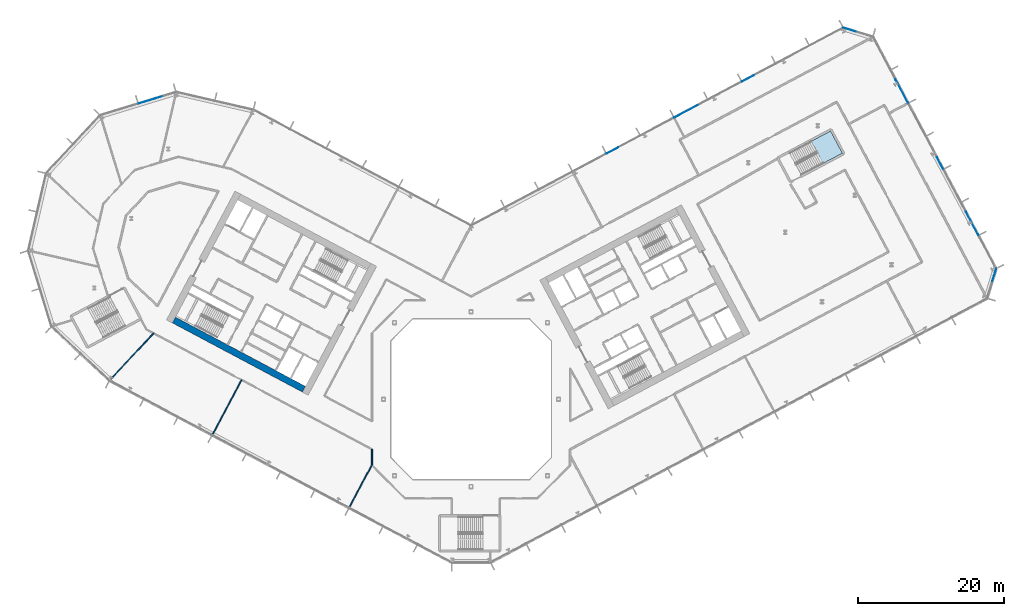
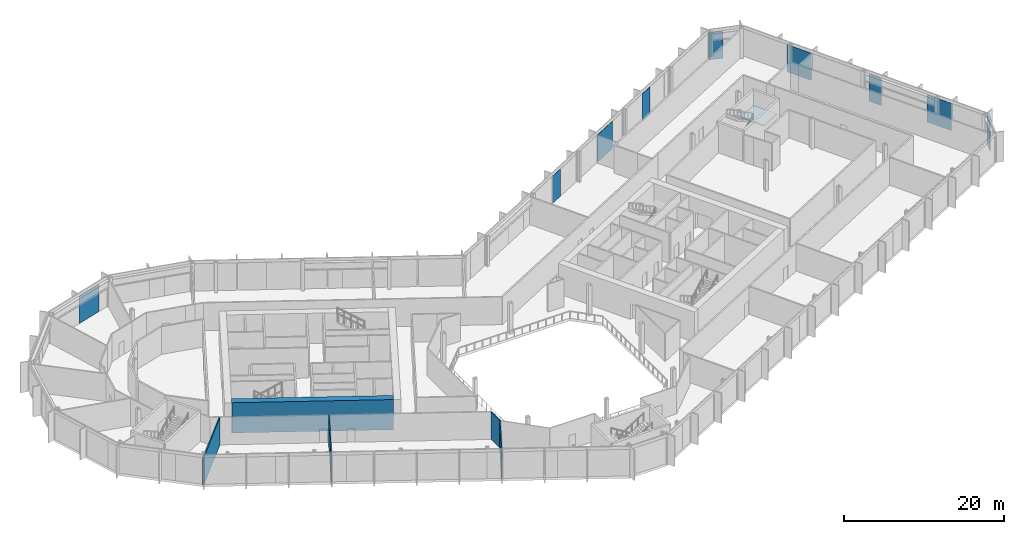
# One storey, part 13 of 30: 9 plates, 5 walls, 1 slab, 6 elements without a shape of their own.
"""IFC4 building model written with IfcOpenShell, lengths in metres."""

from ifc_helpers import new_model, si_unit, direction, frame, frame_2d, origin, origin_2d, place, context, subcontext, project, spatial, polyline, rectangle, outline, extrude, material, layer, layer_set, type_object, element, aggregate, save


model = new_model("IFC4")

# Units and contexts
model_context = context("Model", 3, precision=1e-05, world=origin(), true_north=direction((0.0, 1.0)))
body_context = subcontext(model_context, "Body", "Model", "MODEL_VIEW")
ifc_project = project(units=[si_unit("LENGTHUNIT", "METRE"), si_unit("AREAUNIT", "SQUARE_METRE"), si_unit("VOLUMEUNIT", "CUBIC_METRE"), si_unit("PLANEANGLEUNIT", "RADIAN"), si_unit("MASSUNIT", "GRAM", prefix="KILO")], contexts=[model_context])

# Site, building, storey
site_placement = place(None, origin())
site = spatial("IfcSite", under=ifc_project, at=site_placement, CompositionType="ELEMENT")
building_placement = place(site_placement, origin())
building = spatial("IfcBuilding", under=site, at=building_placement, Name="Cormorant Relay Tower", CompositionType="ELEMENT")
storey_placement = place(building_placement, frame((0.0, 0.0, 84.60009765625)))
storey = spatial("IfcBuildingStorey", under=building, at=storey_placement, Name="L16", CompositionType="ELEMENT", Elevation=84.60009765625)

# Curtain wall, plate
ifc_material_1 = material(Name="Aluminium 6063-T6 anodised bronze", Category="aluminium")
ifc_layer_1 = layer(ifc_material_1, 0.199951171875)
ifc_layer_set_1 = layer_set([ifc_layer_1], Name="CW1 unitised bronze curtain wall with vertical fins")
curtain_wall_type = type_object("IfcCurtainWallType", Name="CW1 unitised bronze curtain wall with vertical fins", PredefinedType="NOTDEFINED", material=ifc_layer_set_1)
curtain_wall_1_placement = place(storey_placement, origin())
curtain_wall_1 = element("IfcCurtainWall", 1, at=curtain_wall_1_placement, inside=storey, type_object=curtain_wall_type, Name="CW1 curtain wall 3", PredefinedType="NOTDEFINED")
ifc_material_2 = material(Name="Tinted laminated glass", Category="glass")
ifc_layer_2 = layer(ifc_material_2, 0.0400390625)
ifc_layer_set_2 = layer_set([ifc_layer_2], Name="CW1 tinted vision panel 1800 module")
plate_type_1 = type_object("IfcPlateType", Name="CW1 tinted vision panel 1800 module", PredefinedType="CURTAIN_PANEL", material=ifc_layer_set_2)
plate_1_placement = place(storey_placement, frame((71.77880859375, 17.04248046875, 0.0), z_axis=(0.0, 0.0, 1.0), x_axis=(0.292371704723, 0.956304755963, 0.0)))
plate_1 = element("IfcPlate", 2, at=plate_1_placement, type_object=plate_type_1, Name="CW1 panel V01", PredefinedType="CURTAIN_PANEL", context=body_context, shape_type="SweptSolid", body=[
    extrude(rectangle(XDim=1.800048828125, YDim=0.0400390625, at=origin_2d()), origin(), (0.0, 0.0, 1.0), 4.14990234375),
])
aggregate(curtain_wall_1, [plate_1])

curtain_wall_2_placement = place(storey_placement, origin())
curtain_wall_2 = element("IfcCurtainWall", 3, at=curtain_wall_2_placement, inside=storey, type_object=curtain_wall_type, Name="CW1 curtain wall 4", PredefinedType="NOTDEFINED")
plate_2_placement = place(storey_placement, frame((64.33935546875, 32.40185546875, 0.0), z_axis=(0.0, 0.0, 1.0), x_axis=(-0.469471562786, 0.882947592859, 0.0)))
plate_2 = element("IfcPlate", 4, at=plate_2_placement, type_object=plate_type_1, Name="CW1 panel V03", PredefinedType="CURTAIN_PANEL", context=body_context, shape_type="SweptSolid", body=[
    extrude(rectangle(XDim=1.800048828125, YDim=0.0400390625, at=origin_2d()), origin(), (0.0, 0.0, 1.0), 4.14990234375),
])

curtain_wall_3_placement = place(storey_placement, origin())
curtain_wall_3 = element("IfcCurtainWall", 5, at=curtain_wall_3_placement, inside=storey, type_object=curtain_wall_type, Name="CW1 curtain wall 5", PredefinedType="NOTDEFINED")
plate_3_placement = place(storey_placement, frame((51.930908203125, 50.69140625, 0.0), z_axis=(0.0, 0.0, 1.0), x_axis=(-0.956304755963, 0.292371704723, 0.0)))
plate_3 = element("IfcPlate", 6, at=plate_3_placement, type_object=plate_type_1, Name="CW1 panel V01", PredefinedType="CURTAIN_PANEL", context=body_context, shape_type="SweptSolid", body=[
    extrude(rectangle(XDim=1.800048828125, YDim=0.0400390625, at=origin_2d()), origin(), (0.0, 0.0, 1.0), 4.14990234375),
])
aggregate(curtain_wall_3, [plate_3])

# Curtain wall, plates
curtain_wall_4_placement = place(storey_placement, origin())
curtain_wall_4 = element("IfcCurtainWall", 7, at=curtain_wall_4_placement, inside=storey, type_object=curtain_wall_type, Name="CW1 curtain wall 6", PredefinedType="NOTDEFINED")
plate_4_placement = place(storey_placement, frame((37.9892578125, 44.005859375, 0.0), z_axis=(0.0, 0.0, 1.0), x_axis=(-0.882947592859, -0.469471562786, 0.0)))
plate_4 = element("IfcPlate", 8, at=plate_4_placement, type_object=plate_type_1, Name="CW1 panel V02", PredefinedType="CURTAIN_PANEL", context=body_context, shape_type="SweptSolid", body=[
    extrude(rectangle(XDim=1.800048828125, YDim=0.0400390625, at=origin_2d()), origin(), (0.0, 0.0, 1.0), 4.14990234375),
])
plate_5_placement = place(storey_placement, frame((19.42041015625, 34.132568359375, 0.0), z_axis=(0.0, 0.0, 1.0), x_axis=(-0.882947592859, -0.469471562786, 0.0)))
plate_5 = element("IfcPlate", 9, at=plate_5_placement, type_object=plate_type_1, Name="CW1 panel V06", PredefinedType="CURTAIN_PANEL", context=body_context, shape_type="SweptSolid", body=[
    extrude(rectangle(XDim=1.800048828125, YDim=0.0400390625, at=origin_2d()), origin(), (0.0, 0.0, 1.0), 4.14990234375),
])

# Plate
ifc_material_3 = material(Name="Tinted laminated glass", Category="glass")
ifc_layer_3 = layer(ifc_material_3, 0.0400390625)
ifc_layer_set_3 = layer_set([ifc_layer_3], Name="CW1 tinted vision panel 3600 module")
plate_type_2 = type_object("IfcPlateType", Name="CW1 tinted vision panel 3600 module", PredefinedType="CURTAIN_PANEL", material=ifc_layer_set_3)
plate_6_placement = place(storey_placement, frame((68.74560546875, 24.11474609375, 0.0), z_axis=(0.0, 0.0, 1.0), x_axis=(-0.469471562786, 0.882947592859, 0.0)))
plate_6 = element("IfcPlate", 10, at=plate_6_placement, type_object=plate_type_2, Name="CW1 panel V01", PredefinedType="CURTAIN_PANEL", context=body_context, shape_type="SweptSolid", body=[
    extrude(rectangle(XDim=3.60009765625, YDim=0.0400390625, at=origin_2d()), origin(), (0.0, 0.0, 1.0), 4.14990234375),
])

plate_7_placement = place(storey_placement, frame((59.087890625, 42.2783203125, 0.0), z_axis=(0.0, 0.0, 1.0), x_axis=(-0.469471562786, 0.882947592859, 0.0)))
plate_7 = element("IfcPlate", 11, at=plate_7_placement, type_object=plate_type_2, Name="CW1 panel V05", PredefinedType="CURTAIN_PANEL", context=body_context, shape_type="SweptSolid", body=[
    extrude(rectangle(XDim=3.60009765625, YDim=0.0400390625, at=origin_2d()), origin(), (0.0, 0.0, 1.0), 4.14990234375),
])

aggregate(curtain_wall_2, [plate_6, plate_2, plate_7])

plate_8_placement = place(storey_placement, frame((29.49951171875, 39.49169921875, 0.0), z_axis=(0.0, 0.0, 1.0), x_axis=(-0.882947592859, -0.469471562786, 0.0)))
plate_8 = element("IfcPlate", 12, at=plate_8_placement, type_object=plate_type_2, Name="CW1 panel V04", PredefinedType="CURTAIN_PANEL", context=body_context, shape_type="SweptSolid", body=[
    extrude(rectangle(XDim=3.60009765625, YDim=0.0400390625, at=origin_2d()), origin(), (0.0, 0.0, 1.0), 4.14990234375),
])

aggregate(curtain_wall_4, [plate_4, plate_8, plate_5])

# Curtain wall, plate
curtain_wall_5_placement = place(storey_placement, origin())
curtain_wall_5 = element("IfcCurtainWall", 13, at=curtain_wall_5_placement, inside=storey, type_object=curtain_wall_type, Name="CW1 curtain wall 9", PredefinedType="NOTDEFINED")
plate_9_placement = place(storey_placement, frame((-43.8759765625, 41.091796875, 0.0), z_axis=(0.0, 0.0, 1.0), x_axis=(-0.956304755963, -0.292371704723, 0.0)))
plate_9 = element("IfcPlate", 14, at=plate_9_placement, type_object=plate_type_2, Name="CW1 panel V01", PredefinedType="CURTAIN_PANEL", context=body_context, shape_type="SweptSolid", body=[
    extrude(rectangle(XDim=3.60009765625, YDim=0.0400390625, at=origin_2d()), origin(), (0.0, 0.0, 1.0), 4.14990234375),
])
aggregate(curtain_wall_5, [plate_9])

# Stair, slab
ifc_material_4 = material(Name="Concrete 40 MPa", Category="concrete")
stair_type = type_object("IfcStairType", Name="Exit stair 1500", PredefinedType="HALF_TURN_STAIR", material=ifc_material_4)
stair_placement = place(storey_placement, origin())
stair = element("IfcStair", 15, at=stair_placement, inside=storey, type_object=stair_type, Name="L16 Stair", PredefinedType="HALF_TURN_STAIR")
ifc_material_5 = material(Name="Concrete 40 MPa", Category="concrete")
ifc_layer_4 = layer(ifc_material_5, 0.199951171875)
ifc_layer_set_4 = layer_set([ifc_layer_4], Name="Exit stair landing 200")
slab_type = type_object("IfcSlabType", Name="Exit stair landing 200", PredefinedType="LANDING", material=ifc_layer_set_4)
slab_placement = place(storey_placement, frame((0.0, 0.0, 2.099853515625)))
slab = element("IfcSlab", 16, at=slab_placement, type_object=slab_type, Name="RB1 landing 1", PredefinedType="LANDING", context=body_context, shape_type="SweptSolid", body=[
    extrude(outline(polyline([(48.301513671875, 32.35107421875), (50.941650390625, 33.7548828125), (49.322021484375, 36.801025390625), (46.681884765625, 35.397216796875), (48.301513671875, 32.35107421875)])), origin(), (0.0, 0.0, 1.0), 0.199951171875),
])
aggregate(stair, [slab])

# Walls
ifc_material_6 = material(Name="Concrete 70 MPa", Category="concrete")
ifc_layer_5 = layer(ifc_material_6, 0.89990234375)
ifc_layer_set_5 = layer_set([ifc_layer_5], Name="Core wall 900")
wall_type_1 = type_object("IfcWallType", Name="Core wall 900", PredefinedType="SHEAR", material=ifc_layer_set_5)
wall_1_placement = place(storey_placement, frame((-22.93701171875, 1.3798828125, 0.0), z_axis=(0.0, 0.0, 1.0), x_axis=(-0.88295276571, 0.46946183394, 0.0)))
element("IfcWall", 17, at=wall_1_placement, inside=storey, type_object=wall_type_1, Name="L16 core A wall", PredefinedType="SHEAR", context=body_context, shape_type="SweptSolid", body=[
    extrude(rectangle(XDim=20.199951171875, YDim=0.89990234375, at=frame_2d((10.10009765625, 0.0))), origin(), (0.0, 0.0, 1.0), 4.599853515625),
])
ifc_material_7 = material(Name="Gypsum board partition")
ifc_layer_6 = layer(ifc_material_7, 0.14990234375)
ifc_layer_set_6 = layer_set([ifc_layer_6], Name="Gypsum board partition 150")
wall_type_2 = type_object("IfcWallType", Name="Gypsum board partition 150", PredefinedType="PARTITIONING", material=ifc_layer_set_6)
wall_2_placement = place(storey_placement, frame((-49.73291015625, 2.43310546875, 0.0), z_axis=(0.0, 0.0, 1.0), x_axis=(0.682002261255, 0.731350063679, 0.0)))
element("IfcWall", 18, at=wall_2_placement, inside=storey, type_object=wall_type_2, Name="wall/L16/part/10", PredefinedType="PARTITIONING", context=body_context, shape_type="SweptSolid", body=[
    extrude(rectangle(XDim=9.05859375, YDim=0.14990234375, at=frame_2d((4.529296875, 0.0))), origin(), (0.0, 0.0, 1.0), 4.199951171875),
])
wall_3_placement = place(storey_placement, frame((-31.4951171875, 2.64599609375, 0.0), z_axis=(0.0, 0.0, 1.0), x_axis=(-0.469461194384, -0.882953105758, 0.0)))
element("IfcWall", 19, at=wall_3_placement, inside=storey, type_object=wall_type_2, Name="wall/L16/part/11", PredefinedType="PARTITIONING", context=body_context, shape_type="SweptSolid", body=[
    extrude(rectangle(XDim=8.750244140625, YDim=0.14990234375, at=frame_2d((4.375, 0.0))), origin(), (0.0, 0.0, 1.0), 4.199951171875),
])
wall_4_placement = place(storey_placement, frame((-13.60009765625, -9.076904296875, 0.0), z_axis=(0.0, 0.0, 1.0), x_axis=(0.0, 1.0, 0.0)))
element("IfcWall", 20, at=wall_4_placement, inside=storey, type_object=wall_type_2, Name="wall/L16/part/24", PredefinedType="PARTITIONING", context=body_context, shape_type="SweptSolid", body=[
    extrude(rectangle(XDim=2.2080078125, YDim=0.14990234375, at=frame_2d((1.10400390625, 0.0))), origin(), (0.0, 0.0, 1.0), 4.199951171875),
])
wall_5_placement = place(storey_placement, frame((-13.60009765625, -8.998046875, 0.0), z_axis=(0.0, 0.0, 1.0), x_axis=(-0.469531053644, -0.882915958438, 0.0)))
element("IfcWall", 21, at=wall_5_placement, inside=storey, type_object=wall_type_2, Name="wall/L16/part/33", PredefinedType="PARTITIONING", context=body_context, shape_type="SweptSolid", body=[
    extrude(rectangle(XDim=6.870361328125, YDim=0.14990234375, at=frame_2d((3.43505859375, 0.0))), origin(), (0.0, 0.0, 1.0), 4.199951171875),
])

save(model, "model.ifc")
